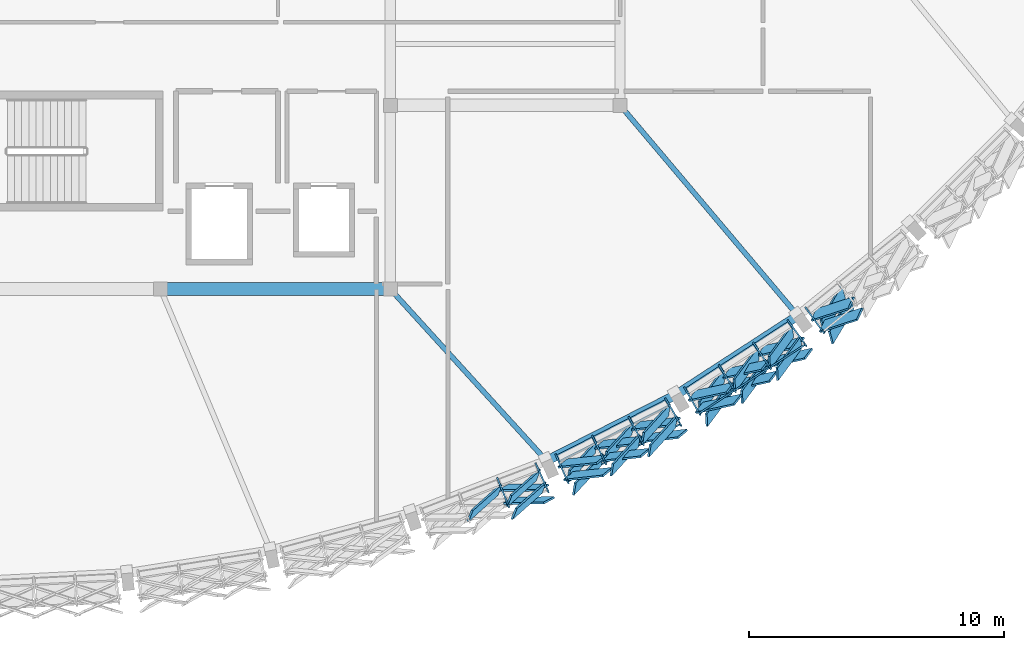
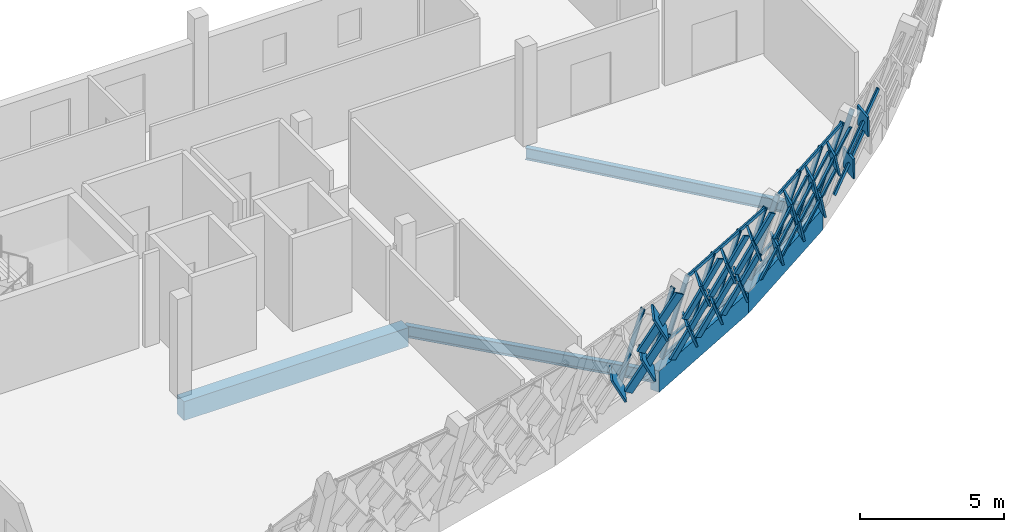
# One storey, part 51 of 94: 50 members, 5 beams, 4 elements without a shape of their own.
"""IFC4 building model written with IfcOpenShell, lengths in metres."""

from ifc_helpers import new_model, si_unit, direction, frame, origin, origin_2d, place, context, subcontext, project, spatial, rectangle, hollow_rectangle, i_section, extrude, material, material_profile, profile_set, type_object, element, aggregate, save


model = new_model("IFC4")

# Units and contexts
model_context = context("Model", 3, precision=1e-05, world=origin(), true_north=direction((0.0, 1.0)))
body_context = subcontext(model_context, "Body", "Model", "MODEL_VIEW")
ifc_project = project(units=[si_unit("LENGTHUNIT", "METRE"), si_unit("AREAUNIT", "SQUARE_METRE"), si_unit("VOLUMEUNIT", "CUBIC_METRE"), si_unit("PLANEANGLEUNIT", "RADIAN"), si_unit("MASSUNIT", "GRAM", prefix="KILO")], contexts=[model_context])

# Site, building, storey
site_placement = place(None, origin())
site = spatial("IfcSite", under=ifc_project, at=site_placement, CompositionType="ELEMENT")
building_placement = place(site_placement, origin())
building = spatial("IfcBuilding", under=site, at=building_placement, Name="Chiffa Square Polytechnic", CompositionType="ELEMENT")
storey_placement = place(building_placement, frame((0.0, 0.0, 18.0)))
storey = spatial("IfcBuildingStorey", under=building, at=storey_placement, Name="L04", CompositionType="ELEMENT", Elevation=18.0)

# Beams
ifc_material_1 = material(Name="Concrete C40/50", Category="concrete")
ifc_material_profile_1 = material_profile(ifc_material_1, rectangle(XDim=0.5, YDim=0.800048828125, at=origin_2d()), Name="RC 500x800")
ifc_profile_set_1 = profile_set([ifc_material_profile_1], Name="Concrete C40/50")
beam_type_1 = type_object("IfcBeamType", Name="BM-RC-500X800", PredefinedType="BEAM", material=ifc_profile_set_1)
beam_1_placement = place(storey_placement, frame((130.199951171875, 14.39990234375, -0.639892578125), z_axis=(1.0, 0.0, 0.0), x_axis=(0.0, 1.0, 0.0)))
element("IfcBeam", 1, at=beam_1_placement, inside=storey, type_object=beam_type_1, Name="Primary floor girder BM-V1-L04-X-1302-0144", PredefinedType="BEAM", context=body_context, shape_type="SweptSolid", body=[
    extrude(rectangle(XDim=0.5, YDim=0.800048828125, at=origin_2d()), origin(), (0.0, 0.0, 1.0), 9.0),
])
ifc_material_2 = material(Name="Steel S355", Category="steel")
ifc_material_profile_2 = material_profile(ifc_material_2, i_section(OverallWidth=0.199951171875, OverallDepth=0.5, WebThickness=0.01025390625, FlangeThickness=0.01611328125, FilletRadius=0.02099609375, at=origin_2d()), Name="IPE 500")
ifc_profile_set_2 = profile_set([ifc_material_profile_2], Name="Steel S355")
beam_type_2 = type_object("IfcBeamType", Name="BM-STL-IPE500", PredefinedType="BEAM", material=ifc_profile_set_2)
beam_2_placement = place(storey_placement, frame((145.31689453125, 7.674072265625, -0.489990234375), z_axis=(-0.672826491183, 0.739800319521, 0.0), x_axis=(-0.739800319521, -0.672826491183, 0.0)))
element("IfcBeam", 2, at=beam_2_placement, inside=storey, type_object=beam_type_2, Name="Prow radial tie girder BM-V1-RAD-L04-07", PredefinedType="BEAM", context=body_context, shape_type="SweptSolid", body=[
    extrude(i_section(OverallWidth=0.199951171875, OverallDepth=0.5, WebThickness=0.01025390625, FlangeThickness=0.01611328125, FilletRadius=0.02099609375, at=origin_2d()), origin(), (0.0, 0.0, 1.0), 9.09130859375),
])
beam_3_placement = place(storey_placement, frame((155.162109375, 13.35791015625, -0.489990234375), z_axis=(-0.645293822262, 0.763934475561, 0.0), x_axis=(-0.763934475561, -0.645293822262, 0.0)))
element("IfcBeam", 3, at=beam_3_placement, inside=storey, type_object=beam_type_2, Name="Prow radial tie girder BM-V1-RAD-L04-09", PredefinedType="BEAM", context=body_context, shape_type="SweptSolid", body=[
    extrude(i_section(OverallWidth=0.199951171875, OverallDepth=0.5, WebThickness=0.01025390625, FlangeThickness=0.01611328125, FilletRadius=0.02099609375, at=origin_2d()), origin(), (0.0, 0.0, 1.0), 10.7890625),
])

# Curtain wall, members
ifc_material_3 = material(Name="Aluminium EN AW-6060 T66 and glulam shading", Category="wood")
curtain_wall_type_1 = type_object("IfcCurtainWallType", Name="CW-PROW-LEAN-300", PredefinedType="USERDEFINED", material=ifc_material_3)
curtain_wall_1_placement = place(storey_placement, origin())
curtain_wall_1 = element("IfcCurtainWall", 4, at=curtain_wall_1_placement, inside=storey, type_object=curtain_wall_type_1, Name="Outward-leaning diamond-fin prow curtain wall CW-V1-L04-066", ObjectType="CURTAIN WALL", PredefinedType="USERDEFINED")
ifc_material_4 = material(Name="Aluminium EN AW-6060 T66", Category="aluminium")
ifc_material_profile_3 = material_profile(ifc_material_4, hollow_rectangle(XDim=0.06494140625, YDim=0.179931640625, WallThickness=0.00390625, at=origin_2d()), Name="ALU 65x180x4")
ifc_profile_set_3 = profile_set([ifc_material_profile_3], Name="Aluminium EN AW-6060 T66")
member_type_1 = type_object("IfcMemberType", Name="CWM-ALU-75X180", PredefinedType="MULLION", material=ifc_profile_set_3)
member_1_placement = place(storey_placement, frame((143.412109375, 6.942626953125, 0.0), z_axis=(0.101968928536, -0.252060035626, 0.962324309188), x_axis=(0.927017620687, 0.37501777416, 0.0)))
member_1 = element("IfcMember", 5, at=member_1_placement, type_object=member_type_1, Name="Leaning prow mullion CW-V1-L04-066-M02", PredefinedType="MULLION", context=body_context, shape_type="SweptSolid", body=[
    extrude(hollow_rectangle(XDim=0.06494140625, YDim=0.179931640625, WallThickness=0.00390625, at=origin_2d()), origin(), (0.0, 0.0, 1.0), 4.09423828125),
])
member_2_placement = place(storey_placement, frame((144.916015625, 7.52001953125, 0.0), z_axis=(0.110902358355, -0.24863593244, 0.962227021036), x_axis=(0.913268856535, 0.407357331692, 0.0)))
member_2 = element("IfcMember", 6, at=member_2_placement, type_object=member_type_1, Name="Leaning prow mullion CW-V1-L04-066-M03", PredefinedType="MULLION", context=body_context, shape_type="SweptSolid", body=[
    extrude(hollow_rectangle(XDim=0.06494140625, YDim=0.179931640625, WallThickness=0.00390625, at=origin_2d()), origin(), (0.0, 0.0, 1.0), 4.0947265625),
])

curtain_wall_type_2 = type_object("IfcCurtainWallType", Name="CW-PROW-LEAN-150", PredefinedType="USERDEFINED", material=ifc_material_3)
curtain_wall_2_placement = place(storey_placement, origin())
curtain_wall_2 = element("IfcCurtainWall", 7, at=curtain_wall_2_placement, inside=storey, type_object=curtain_wall_type_2, Name="Outward-leaning diamond-fin prow curtain wall CW-V1-L04-067", ObjectType="CURTAIN WALL", PredefinedType="USERDEFINED")
member_3_placement = place(storey_placement, frame((145.699951171875, 7.868896484375, 0.0), z_axis=(0.11090400231, -0.248579992275, 0.96224128456), x_axis=(0.913232503223, 0.407438823698, 0.0)))
member_3 = element("IfcMember", 8, at=member_3_placement, type_object=member_type_1, Name="Leaning prow mullion CW-V1-L04-067-M00", PredefinedType="MULLION", context=body_context, shape_type="SweptSolid", body=[
    extrude(hollow_rectangle(XDim=0.06494140625, YDim=0.179931640625, WallThickness=0.00390625, at=origin_2d()), origin(), (0.0, 0.0, 1.0), 4.094482421875),
])
member_4_placement = place(storey_placement, frame((147.135009765625, 8.600341796875, 0.0), z_axis=(0.119380787971, -0.244307236922, 0.962321256884), x_axis=(0.898468952324, 0.439037061887, 0.0)))
member_4 = element("IfcMember", 9, at=member_4_placement, type_object=member_type_1, Name="Leaning prow mullion CW-V1-L04-067-M01", PredefinedType="MULLION", context=body_context, shape_type="SweptSolid", body=[
    extrude(hollow_rectangle(XDim=0.06494140625, YDim=0.179931640625, WallThickness=0.00390625, at=origin_2d()), origin(), (0.0, 0.0, 1.0), 4.09423828125),
])
member_5_placement = place(storey_placement, frame((148.570068359375, 9.331787109375, 0.0), z_axis=(0.127788802606, -0.24001396663, 0.962321836888), x_axis=(0.882686602995, 0.469962084526, 0.0)))
member_5 = element("IfcMember", 10, at=member_5_placement, type_object=member_type_1, Name="Leaning prow mullion CW-V1-L04-067-M02", PredefinedType="MULLION", context=body_context, shape_type="SweptSolid", body=[
    extrude(hollow_rectangle(XDim=0.06494140625, YDim=0.179931640625, WallThickness=0.00390625, at=origin_2d()), origin(), (0.0, 0.0, 1.0), 4.09423828125),
])
member_6_placement = place(storey_placement, frame((150.0048828125, 10.06298828125, 0.0), z_axis=(0.136301726706, -0.235695855498, 0.962221026063), x_axis=(0.865671070287, 0.500613222028, 0.0)))
member_6 = element("IfcMember", 11, at=member_6_placement, type_object=member_type_1, Name="Leaning prow mullion CW-V1-L04-067-M03", PredefinedType="MULLION", context=body_context, shape_type="SweptSolid", body=[
    extrude(hollow_rectangle(XDim=0.06494140625, YDim=0.179931640625, WallThickness=0.00390625, at=origin_2d()), origin(), (0.0, 0.0, 1.0), 4.0947265625),
])

curtain_wall_3_placement = place(storey_placement, origin())
curtain_wall_3 = element("IfcCurtainWall", 12, at=curtain_wall_3_placement, inside=storey, type_object=curtain_wall_type_1, Name="Outward-leaning diamond-fin prow curtain wall CW-V1-L04-068", ObjectType="CURTAIN WALL", PredefinedType="USERDEFINED")
member_7_placement = place(storey_placement, frame((150.7490234375, 10.491943359375, 0.0), z_axis=(0.136245123645, -0.235641456738, 0.962242365597), x_axis=(0.865711100696, 0.500543994203, 0.0)))
member_7 = element("IfcMember", 13, at=member_7_placement, type_object=member_type_1, Name="Leaning prow mullion CW-V1-L04-068-M00", PredefinedType="MULLION", context=body_context, shape_type="SweptSolid", body=[
    extrude(hollow_rectangle(XDim=0.06494140625, YDim=0.179931640625, WallThickness=0.00390625, at=origin_2d()), origin(), (0.0, 0.0, 1.0), 4.094482421875),
])
member_8_placement = place(storey_placement, frame((152.099609375, 11.369384765625, 0.0), z_axis=(0.144185391039, -0.230589291624, 0.962309280637), x_axis=(0.847887422478, 0.530176309168, 0.0)))
member_8 = element("IfcMember", 14, at=member_8_placement, type_object=member_type_1, Name="Leaning prow mullion CW-V1-L04-068-M01", PredefinedType="MULLION", context=body_context, shape_type="SweptSolid", body=[
    extrude(hollow_rectangle(XDim=0.06494140625, YDim=0.179931640625, WallThickness=0.00390625, at=origin_2d()), origin(), (0.0, 0.0, 1.0), 4.09423828125),
])
member_9_placement = place(storey_placement, frame((153.4501953125, 12.24658203125, 0.0), z_axis=(0.152117377053, -0.225403247849, 0.962316829042), x_axis=(0.828899514026, 0.559397529175, 0.0)))
member_9 = element("IfcMember", 15, at=member_9_placement, type_object=member_type_1, Name="Leaning prow mullion CW-V1-L04-068-M02", PredefinedType="MULLION", context=body_context, shape_type="SweptSolid", body=[
    extrude(hollow_rectangle(XDim=0.06494140625, YDim=0.179931640625, WallThickness=0.00390625, at=origin_2d()), origin(), (0.0, 0.0, 1.0), 4.09423828125),
])
member_10_placement = place(storey_placement, frame((154.801025390625, 13.1240234375, 0.0), z_axis=(0.159972813615, -0.220312913271, 0.962221865866), x_axis=(0.809180942213, 0.587559531247, 0.0)))
member_10 = element("IfcMember", 16, at=member_10_placement, type_object=member_type_1, Name="Leaning prow mullion CW-V1-L04-068-M03", PredefinedType="MULLION", context=body_context, shape_type="SweptSolid", body=[
    extrude(hollow_rectangle(XDim=0.06494140625, YDim=0.179931640625, WallThickness=0.00390625, at=origin_2d()), origin(), (0.0, 0.0, 1.0), 4.0947265625),
])

# Curtain wall, member
curtain_wall_4_placement = place(storey_placement, origin())
curtain_wall_4 = element("IfcCurtainWall", 17, at=curtain_wall_4_placement, inside=storey, type_object=curtain_wall_type_2, Name="Outward-leaning diamond-fin prow curtain wall CW-V1-L04-069", ObjectType="CURTAIN WALL", PredefinedType="USERDEFINED")
member_11_placement = place(storey_placement, frame((155.49609375, 13.62890625, 0.0), z_axis=(0.159916814499, -0.220258282162, 0.962243680977), x_axis=(0.809209466391, 0.587520246037, 0.0)))
member_11 = element("IfcMember", 18, at=member_11_placement, type_object=member_type_1, Name="Leaning prow mullion CW-V1-L04-069-M00", PredefinedType="MULLION", context=body_context, shape_type="SweptSolid", body=[
    extrude(hollow_rectangle(XDim=0.06494140625, YDim=0.179931640625, WallThickness=0.00390625, at=origin_2d()), origin(), (0.0, 0.0, 1.0), 4.094482421875),
])

# Member
ifc_material_5 = material(Name="Glulam GL28h", Category="wood")
ifc_material_profile_4 = material_profile(ifc_material_5, rectangle(XDim=0.080078125, YDim=0.580078125, at=origin_2d()), Name="GL28h 80x580")
ifc_profile_set_4 = profile_set([ifc_material_profile_4], Name="Glulam GL28h")
member_type_2 = type_object("IfcMemberType", Name="CWM-GL-80X580", PredefinedType="MULLION", material=ifc_profile_set_4)
member_12_placement = place(storey_placement, frame((143.468017578125, 6.550048828125, 0.0400390625), z_axis=(-0.46597493484, -0.415374899498, 0.781236873789), x_axis=(0.83020858496, -0.5105971629, 0.223705705555)))
member_12 = element("IfcMember", 19, at=member_12_placement, type_object=member_type_2, Name="Diamond glulam fin CW-V1-L04-066-DF03B", PredefinedType="MULLION", context=body_context, shape_type="SweptSolid", body=[
    extrude(rectangle(XDim=0.080078125, YDim=0.580078125, at=origin_2d()), origin(), (0.0, 0.0, 1.0), 2.470458984375),
])

member_13_placement = place(storey_placement, frame((143.633056640625, 6.614013671875, 0.0400390625), z_axis=(0.628872795458, 0.005999568427, 0.777485056005), x_axis=(-0.287519179618, 0.930879921849, 0.225378109961)))
member_13 = element("IfcMember", 20, at=member_13_placement, type_object=member_type_2, Name="Diamond glulam fin CW-V1-L04-066-DF05A", PredefinedType="MULLION", context=body_context, shape_type="SweptSolid", body=[
    extrude(rectangle(XDim=0.080078125, YDim=0.580078125, at=origin_2d()), origin(), (0.0, 0.0, 1.0), 2.482177734375),
])

member_14_placement = place(storey_placement, frame((144.971923828125, 7.1279296875, 0.0400390625), z_axis=(-0.460692807103, -0.414424951907, 0.784865655205), x_axis=(0.833478748384, -0.505963232746, 0.222068419863)))
member_14 = element("IfcMember", 21, at=member_14_placement, type_object=member_type_2, Name="Diamond glulam fin CW-V1-L04-066-DF05B", PredefinedType="MULLION", context=body_context, shape_type="SweptSolid", body=[
    extrude(rectangle(XDim=0.080078125, YDim=0.580078125, at=origin_2d()), origin(), (0.0, 0.0, 1.0), 2.458984375),
])

member_15_placement = place(storey_placement, frame((143.839111328125, 6.10888671875, 1.969970703125), z_axis=(0.632468029112, 0.008426374981, 0.774540630539), x_axis=(-0.289982899491, 0.929799835496, 0.226676385878)))
member_15 = element("IfcMember", 22, at=member_15_placement, type_object=member_type_2, Name="Diamond glulam fin CW-V1-L04-066-DF06A", PredefinedType="MULLION", context=body_context, shape_type="SweptSolid", body=[
    extrude(rectangle(XDim=0.080078125, YDim=0.580078125, at=origin_2d()), origin(), (0.0, 0.0, 1.0), 2.49169921875),
])

member_16_placement = place(storey_placement, frame((145.194091796875, 6.62890625, 1.969970703125), z_axis=(-0.465760959186, -0.415042349111, 0.781541155246), x_axis=(0.830203344456, -0.510665482096, 0.22356916659)))
member_16 = element("IfcMember", 23, at=member_16_placement, type_object=member_type_2, Name="Diamond glulam fin CW-V1-L04-066-DF06B", PredefinedType="MULLION", context=body_context, shape_type="SweptSolid", body=[
    extrude(rectangle(XDim=0.080078125, YDim=0.580078125, at=origin_2d()), origin(), (0.0, 0.0, 1.0), 2.469482421875),
])

aggregate(curtain_wall_1, [member_1, member_2, member_12, member_13, member_14, member_15, member_16])

member_17_placement = place(storey_placement, frame((145.9541015625, 7.56494140625, 0.0400390625), z_axis=(0.616382925511, 0.065122757149, 0.784749078139), x_axis=(-0.447913218985, 0.848642273509, 0.281389480741)))
member_17 = element("IfcMember", 24, at=member_17_placement, type_object=member_type_2, Name="Diamond glulam fin CW-V1-L04-067-DF01A", PredefinedType="MULLION", context=body_context, shape_type="SweptSolid", body=[
    extrude(rectangle(XDim=0.080078125, YDim=0.580078125, at=origin_2d()), origin(), (0.0, 0.0, 1.0), 2.459228515625),
])

member_18_placement = place(storey_placement, frame((147.23095703125, 8.216064453125, 0.0400390625), z_axis=(-0.424786854273, -0.463162317132, 0.777841112584), x_axis=(0.895340677414, -0.341994506841, 0.285315314446)))
member_18 = element("IfcMember", 25, at=member_18_placement, type_object=member_type_2, Name="Diamond glulam fin CW-V1-L04-067-DF01B", PredefinedType="MULLION", context=body_context, shape_type="SweptSolid", body=[
    extrude(rectangle(XDim=0.080078125, YDim=0.580078125, at=origin_2d()), origin(), (0.0, 0.0, 1.0), 2.481201171875),
])

member_19_placement = place(storey_placement, frame((146.177001953125, 7.06689453125, 1.969970703125), z_axis=(0.620043183438, 0.068124661679, 0.781604427536), x_axis=(-0.450028480983, 0.846923324063, 0.28318765768)))
member_19 = element("IfcMember", 26, at=member_19_placement, type_object=member_type_2, Name="Diamond glulam fin CW-V1-L04-067-DF02A", PredefinedType="MULLION", context=body_context, shape_type="SweptSolid", body=[
    extrude(rectangle(XDim=0.080078125, YDim=0.580078125, at=origin_2d()), origin(), (0.0, 0.0, 1.0), 2.46923828125),
])

member_20_placement = place(storey_placement, frame((147.469970703125, 7.72509765625, 1.969970703125), z_axis=(-0.429462747875, -0.464344960571, 0.774561492575), x_axis=(0.892890810765, -0.346831109979, 0.28714836096)))
member_20 = element("IfcMember", 27, at=member_20_placement, type_object=member_type_2, Name="Diamond glulam fin CW-V1-L04-067-DF02B", PredefinedType="MULLION", context=body_context, shape_type="SweptSolid", body=[
    extrude(rectangle(XDim=0.080078125, YDim=0.580078125, at=origin_2d()), origin(), (0.0, 0.0, 1.0), 2.49169921875),
])

member_21_placement = place(storey_placement, frame((147.388916015625, 8.2958984375, 0.0400390625), z_axis=(0.620573737909, 0.068480509613, 0.781152133467), x_axis=(-0.450225554194, 0.84673255455, 0.283444759018)))
member_21 = element("IfcMember", 28, at=member_21_placement, type_object=member_type_2, Name="Diamond glulam fin CW-V1-L04-067-DF03A", PredefinedType="MULLION", context=body_context, shape_type="SweptSolid", body=[
    extrude(rectangle(XDim=0.080078125, YDim=0.580078125, at=origin_2d()), origin(), (0.0, 0.0, 1.0), 2.470703125),
])

member_22_placement = place(storey_placement, frame((148.6669921875, 8.947021484375, 0.0400390625), z_axis=(-0.420233960616, -0.461545765775, 0.781267511446), x_axis=(0.897621796234, -0.337596407332, 0.283379210038)))
member_22 = element("IfcMember", 29, at=member_22_placement, type_object=member_type_2, Name="Diamond glulam fin CW-V1-L04-067-DF03B", PredefinedType="MULLION", context=body_context, shape_type="SweptSolid", body=[
    extrude(rectangle(XDim=0.080078125, YDim=0.580078125, at=origin_2d()), origin(), (0.0, 0.0, 1.0), 2.47021484375),
])

member_23_placement = place(storey_placement, frame((147.62890625, 7.806884765625, 1.969970703125), z_axis=(0.624122241929, 0.071359190254, 0.778061239939), x_axis=(-0.452160042569, 0.845113636345, 0.285191580466)))
member_23 = element("IfcMember", 30, at=member_23_placement, type_object=member_type_2, Name="Diamond glulam fin CW-V1-L04-067-DF04A", PredefinedType="MULLION", context=body_context, shape_type="SweptSolid", body=[
    extrude(rectangle(XDim=0.080078125, YDim=0.580078125, at=origin_2d()), origin(), (0.0, 0.0, 1.0), 2.48046875),
])

member_24_placement = place(storey_placement, frame((148.922119140625, 8.465087890625, 1.969970703125), z_axis=(-0.42421874531, -0.463007834577, 0.778243021972), x_axis=(0.895634980323, -0.341411853792, 0.285089333564)))
member_24 = element("IfcMember", 31, at=member_24_placement, type_object=member_type_2, Name="Diamond glulam fin CW-V1-L04-067-DF04B", PredefinedType="MULLION", context=body_context, shape_type="SweptSolid", body=[
    extrude(rectangle(XDim=0.080078125, YDim=0.580078125, at=origin_2d()), origin(), (0.0, 0.0, 1.0), 2.479736328125),
])

member_25_placement = place(storey_placement, frame((148.824951171875, 9.028076171875, 0.0400390625), z_axis=(0.624344919372, 0.071733246056, 0.77784816196), x_axis=(-0.452529612149, 0.84487536464, 0.285311353354)))
member_25 = element("IfcMember", 32, at=member_25_placement, type_object=member_type_2, Name="Diamond glulam fin CW-V1-L04-067-DF05A", PredefinedType="MULLION", context=body_context, shape_type="SweptSolid", body=[
    extrude(rectangle(XDim=0.080078125, YDim=0.580078125, at=origin_2d()), origin(), (0.0, 0.0, 1.0), 2.481201171875),
])

member_26_placement = place(storey_placement, frame((150.10205078125, 9.678955078125, 0.0400390625), z_axis=(-0.414829658108, -0.460304043799, 0.784879953889), x_axis=(0.900429729885, -0.331796024026, 0.281314237075)))
member_26 = element("IfcMember", 33, at=member_26_placement, type_object=member_type_2, Name="Diamond glulam fin CW-V1-L04-067-DF05B", PredefinedType="MULLION", context=body_context, shape_type="SweptSolid", body=[
    extrude(rectangle(XDim=0.080078125, YDim=0.580078125, at=origin_2d()), origin(), (0.0, 0.0, 1.0), 2.458984375),
])

member_27_placement = place(storey_placement, frame((149.08203125, 8.547119140625, 1.969970703125), z_axis=(0.628098895341, 0.074176421806, 0.774589979356), x_axis=(-0.453728361519, 0.843614537772, 0.287132522738)))
member_27 = element("IfcMember", 34, at=member_27_placement, type_object=member_type_2, Name="Diamond glulam fin CW-V1-L04-067-DF06A", PredefinedType="MULLION", context=body_context, shape_type="SweptSolid", body=[
    extrude(rectangle(XDim=0.080078125, YDim=0.580078125, at=origin_2d()), origin(), (0.0, 0.0, 1.0), 2.491455078125),
])

member_28_placement = place(storey_placement, frame((150.3740234375, 9.2060546875, 1.969970703125), z_axis=(-0.41917518129, -0.461794785709, 0.781689032341), x_axis=(0.898263906334, -0.336086246845, 0.283139522604)))
member_28 = element("IfcMember", 35, at=member_28_placement, type_object=member_type_2, Name="Diamond glulam fin CW-V1-L04-067-DF06B", PredefinedType="MULLION", context=body_context, shape_type="SweptSolid", body=[
    extrude(rectangle(XDim=0.080078125, YDim=0.580078125, at=origin_2d()), origin(), (0.0, 0.0, 1.0), 2.468994140625),
])

member_29_placement = place(storey_placement, frame((151.032958984375, 10.216064453125, 0.0400390625), z_axis=(0.606231333927, 0.129247289467, 0.784715686048), x_axis=(-0.592865511602, 0.73112124739, 0.337597699589)))
member_29 = element("IfcMember", 36, at=member_29_placement, type_object=member_type_2, Name="Diamond glulam fin CW-V1-L04-068-DF01A", PredefinedType="MULLION", context=body_context, shape_type="SweptSolid", body=[
    extrude(rectangle(XDim=0.080078125, YDim=0.580078125, at=origin_2d()), origin(), (0.0, 0.0, 1.0), 2.45947265625),
])

member_30_placement = place(storey_placement, frame((152.236083984375, 10.9970703125, 0.0400390625), z_axis=(-0.374430869367, -0.504979940215, 0.77768681617), x_axis=(0.925957948475, -0.159286171322, 0.342388366161)))
member_30 = element("IfcMember", 37, at=member_30_placement, type_object=member_type_2, Name="Diamond glulam fin CW-V1-L04-068-DF01B", PredefinedType="MULLION", context=body_context, shape_type="SweptSolid", body=[
    extrude(rectangle(XDim=0.080078125, YDim=0.580078125, at=origin_2d()), origin(), (0.0, 0.0, 1.0), 2.481689453125),
])

member_31_placement = place(storey_placement, frame((151.306884765625, 9.743896484375, 1.969970703125), z_axis=(0.609554531727, 0.132490360505, 0.781594253577), x_axis=(-0.594104961259, 0.729120577951, 0.339738837661)))
member_31 = element("IfcMember", 38, at=member_31_placement, type_object=member_type_2, Name="Diamond glulam fin CW-V1-L04-068-DF02A", PredefinedType="MULLION", context=body_context, shape_type="SweptSolid", body=[
    extrude(rectangle(XDim=0.080078125, YDim=0.580078125, at=origin_2d()), origin(), (0.0, 0.0, 1.0), 2.46923828125),
])

member_32_placement = place(storey_placement, frame((152.52392578125, 10.533935546875, 1.969970703125), z_axis=(-0.378141261162, -0.50663871927, 0.774807327497), x_axis=(0.924513283167, -0.163460505576, 0.344319404571)))
member_32 = element("IfcMember", 39, at=member_32_placement, type_object=member_type_2, Name="Diamond glulam fin CW-V1-L04-068-DF02B", PredefinedType="MULLION", context=body_context, shape_type="SweptSolid", body=[
    extrude(rectangle(XDim=0.080078125, YDim=0.580078125, at=origin_2d()), origin(), (0.0, 0.0, 1.0), 2.490966796875),
])

member_33_placement = place(storey_placement, frame((152.384033203125, 11.093994140625, 0.0400390625), z_axis=(0.610019282487, 0.132814825152, 0.781176482758), x_axis=(-0.594137606012, 0.728961152884, 0.340023738449)))
member_33 = element("IfcMember", 40, at=member_33_placement, type_object=member_type_2, Name="Diamond glulam fin CW-V1-L04-068-DF03A", PredefinedType="MULLION", context=body_context, shape_type="SweptSolid", body=[
    extrude(rectangle(XDim=0.080078125, YDim=0.580078125, at=origin_2d()), origin(), (0.0, 0.0, 1.0), 2.470458984375),
])

member_34_placement = place(storey_placement, frame((153.5869140625, 11.875, 0.0400390625), z_axis=(-0.369515066173, -0.503129500371, 0.781229365633), x_axis=(0.927816773364, -0.153507007673, 0.339987696337)))
member_34 = element("IfcMember", 41, at=member_34_placement, type_object=member_type_2, Name="Diamond glulam fin CW-V1-L04-068-DF03B", PredefinedType="MULLION", context=body_context, shape_type="SweptSolid", body=[
    extrude(rectangle(XDim=0.080078125, YDim=0.580078125, at=origin_2d()), origin(), (0.0, 0.0, 1.0), 2.470458984375),
])

member_35_placement = place(storey_placement, frame((152.674072265625, 10.632080078125, 1.969970703125), z_axis=(0.613246233846, 0.135839454688, 0.778123832834), x_axis=(-0.595143677064, 0.72716978399, 0.342093713625)))
member_35 = element("IfcMember", 42, at=member_35_placement, type_object=member_type_2, Name="Diamond glulam fin CW-V1-L04-068-DF04A", PredefinedType="MULLION", context=body_context, shape_type="SweptSolid", body=[
    extrude(rectangle(XDim=0.080078125, YDim=0.580078125, at=origin_2d()), origin(), (0.0, 0.0, 1.0), 2.480224609375),
])

member_36_placement = place(storey_placement, frame((153.89111328125, 11.422119140625, 1.969970703125), z_axis=(-0.373743509521, -0.504853953208, 0.778099142154), x_axis=(0.926212284042, -0.158402330008, 0.342110372157)))
member_36 = element("IfcMember", 43, at=member_36_placement, type_object=member_type_2, Name="Diamond glulam fin CW-V1-L04-068-DF04B", PredefinedType="MULLION", context=body_context, shape_type="SweptSolid", body=[
    extrude(rectangle(XDim=0.080078125, YDim=0.580078125, at=origin_2d()), origin(), (0.0, 0.0, 1.0), 2.480224609375),
])

member_37_placement = place(storey_placement, frame((153.735107421875, 11.970947265625, 0.0400390625), z_axis=(0.613663192731, 0.136642862248, 0.777654302427), x_axis=(-0.595696664715, 0.726567746127, 0.342410271363)))
member_37 = element("IfcMember", 44, at=member_37_placement, type_object=member_type_2, Name="Diamond glulam fin CW-V1-L04-068-DF05A", PredefinedType="MULLION", context=body_context, shape_type="SweptSolid", body=[
    extrude(rectangle(XDim=0.080078125, YDim=0.580078125, at=origin_2d()), origin(), (0.0, 0.0, 1.0), 2.481689453125),
])

member_38_placement = place(storey_placement, frame((154.93798828125, 12.751953125, 0.0400390625), z_axis=(-0.364766019654, -0.50098239934, 0.784832712403), x_axis=(0.929597352345, -0.148091325253, 0.337516994976)))
member_38 = element("IfcMember", 45, at=member_38_placement, type_object=member_type_2, Name="Diamond glulam fin CW-V1-L04-068-DF05B", PredefinedType="MULLION", context=body_context, shape_type="SweptSolid", body=[
    extrude(rectangle(XDim=0.080078125, YDim=0.580078125, at=origin_2d()), origin(), (0.0, 0.0, 1.0), 2.458984375),
])

member_39_placement = place(storey_placement, frame((154.041015625, 11.52001953125, 1.969970703125), z_axis=(0.616874427492, 0.13924997005, 0.77464532952), x_axis=(-0.596217401182, 0.725185839065, 0.344427509568)))
member_39 = element("IfcMember", 46, at=member_39_placement, type_object=member_type_2, Name="Diamond glulam fin CW-V1-L04-068-DF06A", PredefinedType="MULLION", context=body_context, shape_type="SweptSolid", body=[
    extrude(rectangle(XDim=0.080078125, YDim=0.580078125, at=origin_2d()), origin(), (0.0, 0.0, 1.0), 2.491455078125),
])

member_40_placement = place(storey_placement, frame((155.258056640625, 12.31005859375, 1.969970703125), z_axis=(-0.368990909684, -0.502962689594, 0.781584442941), x_axis=(0.928010704165, -0.152869572062, 0.339745532557)))
member_40 = element("IfcMember", 47, at=member_40_placement, type_object=member_type_2, Name="Diamond glulam fin CW-V1-L04-068-DF06B", PredefinedType="MULLION", context=body_context, shape_type="SweptSolid", body=[
    extrude(rectangle(XDim=0.080078125, YDim=0.580078125, at=origin_2d()), origin(), (0.0, 0.0, 1.0), 2.46923828125),
])

member_41_placement = place(storey_placement, frame((155.806884765625, 13.384033203125, 0.0400390625), z_axis=(0.589568031401, 0.191857744899, 0.784601900375), x_axis=(-0.710016430138, 0.586205895719, 0.390178570347)))
member_41 = element("IfcMember", 48, at=member_41_placement, type_object=member_type_2, Name="Diamond glulam fin CW-V1-L04-069-DF01A", PredefinedType="MULLION", context=body_context, shape_type="SweptSolid", body=[
    extrude(rectangle(XDim=0.080078125, YDim=0.580078125, at=origin_2d()), origin(), (0.0, 0.0, 1.0), 2.459716796875),
])

member_42_placement = place(storey_placement, frame((156.922119140625, 14.285888671875, 0.0400390625), z_axis=(-0.319675981083, -0.541156631566, 0.777789667732), x_axis=(0.918074318544, 0.026172169971, 0.395543377076)))
member_42 = element("IfcMember", 49, at=member_42_placement, type_object=member_type_2, Name="Diamond glulam fin CW-V1-L04-069-DF01B", PredefinedType="MULLION", context=body_context, shape_type="SweptSolid", body=[
    extrude(rectangle(XDim=0.080078125, YDim=0.580078125, at=origin_2d()), origin(), (0.0, 0.0, 1.0), 2.481201171875),
])

member_43_placement = place(storey_placement, frame((156.12890625, 12.943115234375, 1.969970703125), z_axis=(0.592262912747, 0.195212387671, 0.781739576768), x_axis=(-0.710515337795, 0.584083061789, 0.39244736168)))
member_43 = element("IfcMember", 50, at=member_43_placement, type_object=member_type_2, Name="Diamond glulam fin CW-V1-L04-069-DF02A", PredefinedType="MULLION", context=body_context, shape_type="SweptSolid", body=[
    extrude(rectangle(XDim=0.080078125, YDim=0.580078125, at=origin_2d()), origin(), (0.0, 0.0, 1.0), 2.46875),
])

member_44_placement = place(storey_placement, frame((157.257080078125, 13.85595703125, 1.969970703125), z_axis=(-0.323553954731, -0.543437381265, 0.774589343473), x_axis=(0.917128705847, 0.021278636661, 0.398022809061)))
member_44 = element("IfcMember", 51, at=member_44_placement, type_object=member_type_2, Name="Diamond glulam fin CW-V1-L04-069-DF02B", PredefinedType="MULLION", context=body_context, shape_type="SweptSolid", body=[
    extrude(rectangle(XDim=0.080078125, YDim=0.580078125, at=origin_2d()), origin(), (0.0, 0.0, 1.0), 2.491455078125),
])

aggregate(curtain_wall_4, [member_11, member_41, member_42, member_43, member_44])

ifc_material_profile_5 = material_profile(ifc_material_4, hollow_rectangle(XDim=0.06494140625, YDim=0.139892578125, WallThickness=0.00390625, at=origin_2d()), Name="ALU 65x140x4")
ifc_profile_set_5 = profile_set([ifc_material_profile_5], Name="Aluminium EN AW-6060 T66")
member_type_3 = type_object("IfcMemberType", Name="CWT-ALU-75X140", PredefinedType="USERDEFINED", material=ifc_profile_set_5)
member_45_placement = place(storey_placement, frame((145.70458984375, 7.858642578125, 0.0400390625), z_axis=(0.890965855777, 0.454070307154, 0.0), x_axis=(-0.454070307154, 0.890965855777, 0.0)))
member_45 = element("IfcMember", 52, at=member_45_placement, type_object=member_type_3, Name="Leaning prow transom CW-V1-L04-067-T01", ObjectType="TRANSOM", PredefinedType="USERDEFINED", context=body_context, shape_type="SweptSolid", body=[
    extrude(hollow_rectangle(XDim=0.06494140625, YDim=0.139892578125, WallThickness=0.00390625, at=origin_2d()), origin(), (0.0, 0.0, 1.0), 4.8330078125),
])

member_46_placement = place(storey_placement, frame((145.7978515625, 7.6494140625, 0.85009765625), z_axis=(0.890983102594, 0.454036464275, 0.0), x_axis=(-0.454036464275, 0.890983102594, 0.0)))
member_46 = element("IfcMember", 53, at=member_46_placement, type_object=member_type_3, Name="Leaning prow transom CW-V1-L04-067-T02", ObjectType="TRANSOM", PredefinedType="USERDEFINED", context=body_context, shape_type="SweptSolid", body=[
    extrude(hollow_rectangle(XDim=0.06494140625, YDim=0.139892578125, WallThickness=0.00390625, at=origin_2d()), origin(), (0.0, 0.0, 1.0), 4.857177734375),
])

member_47_placement = place(storey_placement, frame((146.1494140625, 6.861328125, 3.89990234375), z_axis=(0.890956256251, 0.454089142621, 0.0), x_axis=(-0.454089142621, 0.890956256251, 0.0)))
member_47 = element("IfcMember", 54, at=member_47_placement, type_object=member_type_3, Name="Leaning prow transom CW-V1-L04-067-T03", ObjectType="TRANSOM", PredefinedType="USERDEFINED", context=body_context, shape_type="SweptSolid", body=[
    extrude(hollow_rectangle(XDim=0.06494140625, YDim=0.139892578125, WallThickness=0.00390625, at=origin_2d()), origin(), (0.0, 0.0, 1.0), 4.947509765625),
])

aggregate(curtain_wall_2, [member_3, member_4, member_5, member_6, member_45, member_46, member_47, member_17, member_18, member_19, member_20, member_21, member_22, member_23, member_24, member_25, member_26, member_27, member_28])

member_48_placement = place(storey_placement, frame((150.754638671875, 10.482177734375, 0.0400390625), z_axis=(0.838620157188, 0.54471665291, 0.0), x_axis=(-0.54471665291, 0.838620157188, 0.0)))
member_48 = element("IfcMember", 55, at=member_48_placement, type_object=member_type_3, Name="Leaning prow transom CW-V1-L04-068-T01", ObjectType="TRANSOM", PredefinedType="USERDEFINED", context=body_context, shape_type="SweptSolid", body=[
    extrude(hollow_rectangle(XDim=0.06494140625, YDim=0.139892578125, WallThickness=0.00390625, at=origin_2d()), origin(), (0.0, 0.0, 1.0), 4.8330078125),
])

member_49_placement = place(storey_placement, frame((150.869384765625, 10.28369140625, 0.85009765625), z_axis=(0.838603215384, 0.544742734827, 0.0), x_axis=(-0.544742734827, 0.838603215384, 0.0)))
member_49 = element("IfcMember", 56, at=member_49_placement, type_object=member_type_3, Name="Leaning prow transom CW-V1-L04-068-T02", ObjectType="TRANSOM", PredefinedType="USERDEFINED", context=body_context, shape_type="SweptSolid", body=[
    extrude(hollow_rectangle(XDim=0.06494140625, YDim=0.139892578125, WallThickness=0.00390625, at=origin_2d()), origin(), (0.0, 0.0, 1.0), 4.85693359375),
])

member_50_placement = place(storey_placement, frame((151.30126953125, 9.536865234375, 3.89990234375), z_axis=(0.838627378466, 0.54470553521, 0.0), x_axis=(-0.54470553521, 0.838627378466, 0.0)))
member_50 = element("IfcMember", 57, at=member_50_placement, type_object=member_type_3, Name="Leaning prow transom CW-V1-L04-068-T03", ObjectType="TRANSOM", PredefinedType="USERDEFINED", context=body_context, shape_type="SweptSolid", body=[
    extrude(hollow_rectangle(XDim=0.06494140625, YDim=0.139892578125, WallThickness=0.00390625, at=origin_2d()), origin(), (0.0, 0.0, 1.0), 4.9462890625),
])

aggregate(curtain_wall_3, [member_7, member_8, member_9, member_10, member_48, member_49, member_50, member_29, member_30, member_31, member_32, member_33, member_34, member_35, member_36, member_37, member_38, member_39, member_40])

# Beams
ifc_material_6 = material(Name="Glulam GL32c", Category="wood")
ifc_material_profile_6 = material_profile(ifc_material_6, rectangle(XDim=0.360107421875, YDim=0.89990234375, at=origin_2d()), Name="GL32c 360x900")
ifc_profile_set_6 = profile_set([ifc_material_profile_6], Name="Glulam GL32c")
beam_type_3 = type_object("IfcBeamType", Name="RB-GL-360X900", PredefinedType="SPANDREL", material=ifc_profile_set_6)
beam_4_placement = place(storey_placement, frame((145.31689453125, 7.674072265625, -0.68994140625), z_axis=(0.890995299206, 0.454012529334, 0.0), x_axis=(-0.454012529334, 0.890995299206, 0.0)))
element("IfcBeam", 58, at=beam_4_placement, inside=storey, type_object=beam_type_3, Name="Prow perimeter edge beam RB-V1-PROW-L04-07", PredefinedType="SPANDREL", context=body_context, shape_type="SweptSolid", body=[
    extrude(rectangle(XDim=0.360107421875, YDim=0.89990234375, at=origin_2d()), origin(), (0.0, 0.0, 1.0), 5.69140625),
])
beam_5_placement = place(storey_placement, frame((150.387939453125, 10.258056640625, -0.68994140625), z_axis=(0.83871298933, 0.54457370624, 0.0), x_axis=(-0.54457370624, 0.83871298933, 0.0)))
element("IfcBeam", 59, at=beam_5_placement, inside=storey, type_object=beam_type_3, Name="Prow perimeter edge beam RB-V1-PROW-L04-08", PredefinedType="SPANDREL", context=body_context, shape_type="SweptSolid", body=[
    extrude(rectangle(XDim=0.360107421875, YDim=0.89990234375, at=origin_2d()), origin(), (0.0, 0.0, 1.0), 5.692138671875),
])

save(model, "model.ifc")
